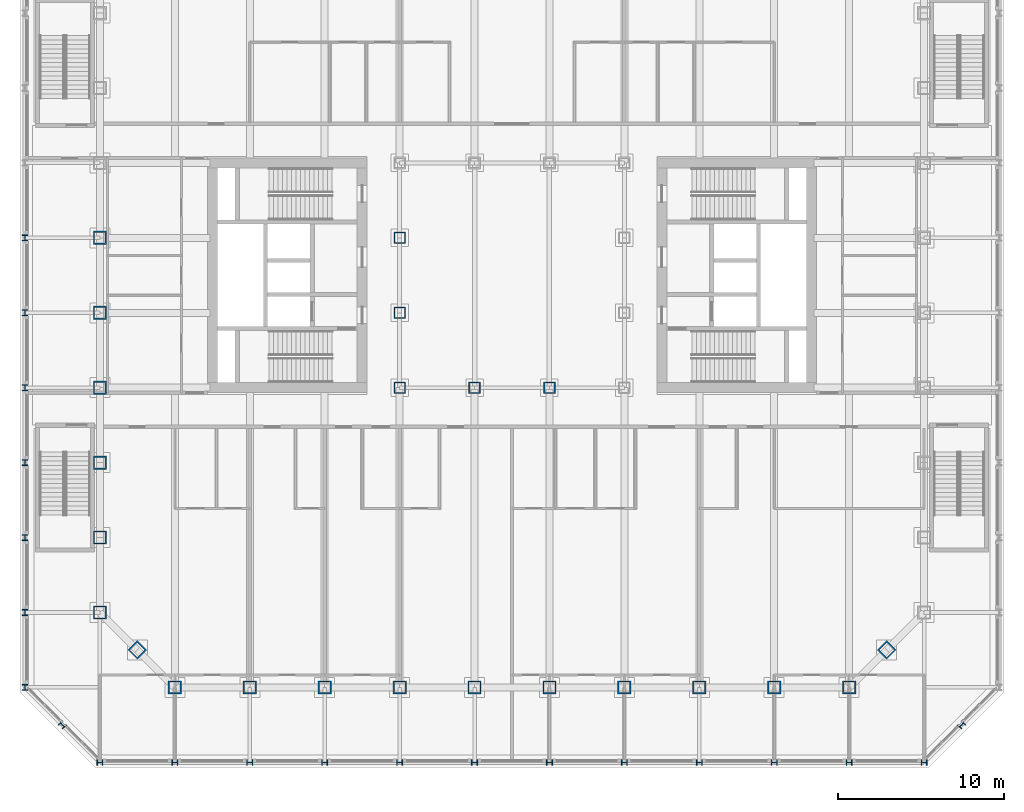
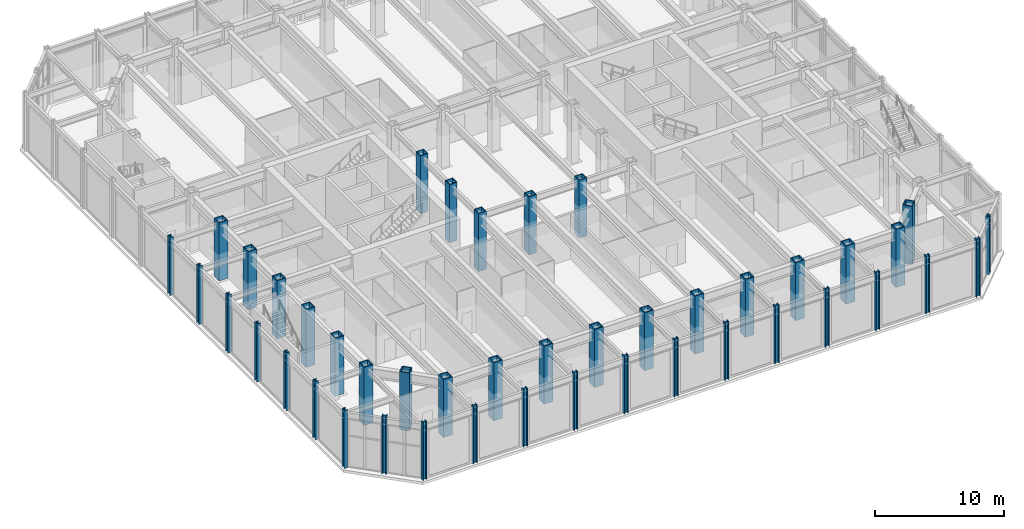
# One storey, part 1 of 19: 44 columns.
"""IFC4 building model written with IfcOpenShell, lengths in metres."""

import ifcopenshell
import ifcopenshell.guid

model = None  # the IFC model being written
_history = None  # IfcOwnerHistory: only IFC2X3 demands one
_inside = {}  # id of a spatial element -> (the spatial element, [elements in it])
_under = {}  # id of a project, library or spatial element -> (it, [spatial elements below it])
_declared = {}  # id of a project -> (the project, [libraries it declares])
_typed = {}  # id of a type object -> (the type object, [elements of that type])
_made_of = {}  # id of a material, layer set ... -> (it, [elements and type objects made of it])


def new_model(schema):
    """Start an empty IFC model of exactly this schema.

    Asked for "IFC4X3", IfcOpenShell would pick the latest addendum, in which some entities
    have other attributes; the version numbers below select the first issue.
    IFC2X3 requires an IfcOwnerHistory on every rooted entity: one is made here for all.
    """
    global model, _history
    if schema == "IFC4X3":
        model = ifcopenshell.file(schema_version=(4, 3, 0, 0))
    else:
        model = ifcopenshell.file(schema=schema)
    _inside.clear()
    _under.clear()
    _declared.clear()
    _typed.clear()
    _made_of.clear()
    _history = None
    if model.schema == "IFC2X3":
        org = make("IfcOrganization", Name="unknown")
        user = make(
            "IfcPersonAndOrganization",
            ThePerson=make("IfcPerson", FamilyName="unknown"),
            TheOrganization=org,
        )
        app = make(
            "IfcApplication",
            ApplicationDeveloper=org,
            Version="unknown",
            ApplicationFullName="unknown",
            ApplicationIdentifier="unknown",
        )
        _history = make(
            "IfcOwnerHistory",
            OwningUser=user,
            OwningApplication=app,
            ChangeAction="ADDED",
            CreationDate=0,
        )
    return model


def make(cls, **values):
    """One entity of the class cls with the attributes given. An attribute that is None is left unset."""
    return model.create_entity(
        cls, **{name: value for name, value in values.items() if value is not None}
    )


def rooted(cls, **values):
    """An entity with a GlobalId (a new one), such as an element, a storey or a relation."""
    return make(cls, GlobalId=ifcopenshell.guid.new(), OwnerHistory=_history, **values)


def si_unit(unit_type, name, prefix=None):
    """IfcSIUnit, for example si_unit("LENGTHUNIT", "METRE", prefix="MILLI")."""
    return make("IfcSIUnit", UnitType=unit_type, Prefix=prefix, Name=name)


def assignment(units):
    """IfcUnitAssignment: the units of a project."""
    return None if units is None else make("IfcUnitAssignment", Units=units)


def point(xyz):
    """IfcCartesianPoint."""
    return None if xyz is None else make("IfcCartesianPoint", Coordinates=xyz)


def direction(xyz):
    """IfcDirection."""
    return None if xyz is None else make("IfcDirection", DirectionRatios=xyz)


def frame(location, z_axis=None, x_axis=None):
    """IfcAxis2Placement3D, a coordinate frame: its origin and axes. An axis left out is left unset."""
    return make(
        "IfcAxis2Placement3D",
        Location=point(location),
        Axis=direction(z_axis),
        RefDirection=direction(x_axis),
    )


def frame_2d(location, x_axis=None):
    """IfcAxis2Placement2D, a coordinate frame in the plane: its origin and x axis."""
    return make(
        "IfcAxis2Placement2D", Location=point(location), RefDirection=direction(x_axis)
    )


def origin():
    """The frame at (0, 0, 0) with its axes left unset."""
    return frame((0.0, 0.0, 0.0))


def origin_2d():
    """The frame at (0, 0) in the plane with its x axis left unset."""
    return frame_2d((0.0, 0.0))


def place(relative_to, where):
    """IfcLocalPlacement: puts the frame where relative to a parent placement (None: the world)."""
    return make(
        "IfcLocalPlacement", PlacementRelTo=relative_to, RelativePlacement=where
    )


def context(
    kind, dimensions, precision=None, world=None, true_north=None, identifier=None
):
    """IfcGeometricRepresentationContext, for example the 3D "Model" context."""
    return make(
        "IfcGeometricRepresentationContext",
        ContextIdentifier=identifier,
        ContextType=kind,
        CoordinateSpaceDimension=dimensions,
        Precision=precision,
        WorldCoordinateSystem=world,
        TrueNorth=true_north,
    )


def subcontext(parent, identifier, kind, view, scale=None):
    """IfcGeometricRepresentationSubContext, for example "Body" below "Model"."""
    return make(
        "IfcGeometricRepresentationSubContext",
        ContextIdentifier=identifier,
        ContextType=kind,
        ParentContext=parent,
        TargetScale=scale,
        TargetView=view,
    )


def project(units=None, contexts=None):
    """IfcProject with its units and contexts."""
    return rooted(
        "IfcProject",
        Name="project",
        RepresentationContexts=contexts,
        UnitsInContext=assignment(units),
    )


def spatial(cls, under=None, at=None, **own):
    """A site, building, storey or space (cls), placed at a placement, below another one or the project."""
    s = rooted(cls, ObjectPlacement=at, **own)
    if under is not None:
        _under.setdefault(under.id(), (under, []))[1].append(s)
    return s


def profile(cls, at=None, kind="AREA", **sizes):
    """A parametric profile (cls). Its sizes go by their IFC names, for example OverallWidth=200.0."""
    return make(cls, ProfileType=kind, Position=at, **sizes)


def hollow_rectangle(**sizes):
    """IfcRectangleHollowProfileDef."""
    return profile("IfcRectangleHollowProfileDef", **sizes)


def i_section(**sizes):
    """IfcIShapeProfileDef."""
    return profile("IfcIShapeProfileDef", **sizes)


def extrude(swept, where, along, depth):
    """IfcExtrudedAreaSolid: the profile swept, set in the frame where, extruded along a direction by depth."""
    return make(
        "IfcExtrudedAreaSolid",
        SweptArea=swept,
        Position=where,
        ExtrudedDirection=direction(along),
        Depth=depth,
    )


def shape(context_of_items, identifier, shape_type, items):
    """IfcShapeRepresentation: the items that make up one representation, for example the "Body"."""
    return make(
        "IfcShapeRepresentation",
        ContextOfItems=context_of_items,
        RepresentationIdentifier=identifier,
        RepresentationType=shape_type,
        Items=items,
    )


def material(Name=None, Category=None):
    """IfcMaterial."""
    return make("IfcMaterial", Name=Name, Category=Category)


def material_profile(
    of_material, cross_section, Name=None, Category=None, Priority=None
):
    """IfcMaterialProfile: a cross section and its material."""
    return make(
        "IfcMaterialProfile",
        Name=Name,
        Material=of_material,
        Profile=cross_section,
        Priority=Priority,
        Category=Category,
    )


def profile_set(profiles, Name=None, composite=None):
    """IfcMaterialProfileSet."""
    return make(
        "IfcMaterialProfileSet",
        Name=Name,
        MaterialProfiles=profiles,
        CompositeProfile=composite,
    )


def made_of(thing, what):
    """Note that an element or type object is made of a material, layer set ...; save() writes the relation."""
    if what is not None:
        _made_of.setdefault(what.id(), (what, []))[1].append(thing)
    return thing


def type_object(cls, material=None, **own):
    """A type object (cls), such as IfcWallType, which elements share."""
    return made_of(rooted(cls, **own), material)


def element(
    cls,
    number,
    at=None,
    inside=None,
    cuts=None,
    type_object=None,
    material=None,
    context=None,
    identifier="Body",
    shape_type=None,
    held_by="IfcProductDefinitionShape",
    body=None,
    shapes=None,
    **own,
):
    """One element of the class cls, such as IfcWall. Its Tag is "e" and its number.

    at: its placement. inside: the storey or other place that contains it. cuts: it is an
    opening in that element (IfcRelVoidsElement). A single representation is given by context,
    identifier, shape_type and body (its items); several are given by shapes. held_by: the class
    of the entity that holds the representations. save() writes the other relations.
    """
    e = rooted(cls, Tag="e%d" % number, ObjectPlacement=at, **own)
    if body is not None:
        shapes = [shape(context, identifier, shape_type, body)]
    if shapes is not None:
        e.Representation = make(held_by, Representations=shapes)
    if inside is not None:
        _inside.setdefault(inside.id(), (inside, []))[1].append(e)
    if cuts is not None:
        rooted(
            "IfcRelVoidsElement", RelatingBuildingElement=cuts, RelatedOpeningElement=e
        )
    if type_object is not None:
        _typed.setdefault(type_object.id(), (type_object, []))[1].append(e)
    return made_of(e, material)


def aggregate(whole, parts):
    """IfcRelAggregates: a whole, such as a stair, and the parts it consists of."""
    return rooted("IfcRelAggregates", RelatingObject=whole, RelatedObjects=parts)


def save(model, path):
    """Write the relations noted so far, then the file.

    IfcRelAggregates (storeys below a building ...), IfcRelContainedInSpatialStructure (elements
    in a storey), IfcRelDefinesByType, IfcRelAssociatesMaterial and IfcRelDeclares: one each for
    every whole, place, type object, material and project.
    """
    for whole, parts in _under.values():
        aggregate(whole, parts)
    for where, things in _inside.values():
        rooted(
            "IfcRelContainedInSpatialStructure",
            RelatedElements=things,
            RelatingStructure=where,
        )
    for kind, things in _typed.values():
        rooted("IfcRelDefinesByType", RelatedObjects=things, RelatingType=kind)
    for what, things in _made_of.values():
        rooted("IfcRelAssociatesMaterial", RelatedObjects=things, RelatingMaterial=what)
    for by, libraries in _declared.values():
        rooted("IfcRelDeclares", RelatingContext=by, RelatedDefinitions=libraries)
    model.write(path)


model = new_model("IFC4")

# Units and contexts
model_context = context("Model", 3, precision=1e-05, world=origin(), true_north=direction((0.0, 1.0)))
body_context = subcontext(model_context, "Body", "Model", "MODEL_VIEW")
ifc_project = project(units=[si_unit("LENGTHUNIT", "METRE"), si_unit("AREAUNIT", "SQUARE_METRE"), si_unit("VOLUMEUNIT", "CUBIC_METRE"), si_unit("PLANEANGLEUNIT", "RADIAN"), si_unit("MASSUNIT", "GRAM", prefix="KILO")], contexts=[model_context])

# Site, building, storey
site_placement = place(None, origin())
site = spatial("IfcSite", under=ifc_project, at=site_placement, CompositionType="ELEMENT")
building_placement = place(site_placement, origin())
building = spatial("IfcBuilding", under=site, at=building_placement, Name="Msasa Ring Tower", CompositionType="ELEMENT")
storey_placement = place(building_placement, frame((0.0, 0.0, 16.0)))
storey = spatial("IfcBuildingStorey", under=building, at=storey_placement, Name="L03", CompositionType="ELEMENT", Elevation=16.0)

# Columns
ifc_material_1 = material(Name="Steel S355", Category="steel")
ifc_material_profile_1 = material_profile(ifc_material_1, hollow_rectangle(XDim=0.699951171875, YDim=0.699951171875, WallThickness=0.070068359375, at=origin_2d()), Name="BOX 700x700x70")
ifc_profile_set_1 = profile_set([ifc_material_profile_1], Name="Steel S355")
column_type_1 = type_object("IfcColumnType", Name="IC1 BOX 700x700x70", PredefinedType="COLUMN", material=ifc_profile_set_1)
for number, where, z_axis, x_axis, name in (
    (1, (-6.75, -6.75, 0.0), (0.0, 0.0, 1.0), (1.0, 0.0, 0.0), "Inner ring column IR-6.75-6.75 L03"),
    (2, (-6.75, -2.25, 0.0), (0.0, 0.0, 1.0), (1.0, 0.0, 0.0), "Inner ring column IR-6.75-2.25 L03"),
    (3, (-6.75, 2.25, 0.0), (0.0, 0.0, 1.0), (1.0, 0.0, 0.0), "Inner ring column IR-6.75+2.25 L03"),
    (4, (-2.25, -6.75, 0.0), (0.0, 0.0, 1.0), (1.0, 0.0, 0.0), "Inner ring column IR-2.25-6.75 L03"),
    (5, (2.25, -6.75, 0.0), (0.0, 0.0, 1.0), (1.0, 0.0, 0.0), "Inner ring column IR+2.25-6.75 L03"),
):
    element("IfcColumn", number, at=place(storey_placement, frame(where, z_axis=z_axis, x_axis=x_axis)), inside=storey, type_object=column_type_1, Name=name, PredefinedType="COLUMN", context=body_context, shape_type="SweptSolid", body=[
        extrude(hollow_rectangle(XDim=0.699951171875, YDim=0.699951171875, WallThickness=0.070068359375, at=origin_2d()), origin(), (0.0, 0.0, 1.0), 5.5),
    ])
ifc_material_2 = material(Name="Steel S355", Category="steel")
ifc_material_profile_2 = material_profile(ifc_material_2, i_section(OverallWidth=0.322265625, OverallDepth=0.365234375, WebThickness=0.02685546875, FlangeThickness=0.044189453125, FilletRadius=0.01513671875, at=origin_2d()), Name="UC 305x305x283")
ifc_profile_set_2 = profile_set([ifc_material_profile_2], Name="Steel S355")
column_type_2 = type_object("IfcColumnType", Name="PC1 UC 305x305x283", PredefinedType="COLUMN", material=ifc_profile_set_2)
for number, where, z_axis, x_axis, name in (
    (6, (-24.75, -29.25, 0.0), (0.0, 0.0, 1.0), (0.0, 1.0, 0.0), "Podium column S-24.75 L03"),
    (7, (-29.25, -24.75, 0.0), (0.0, 0.0, 1.0), (1.0, 0.0, 0.0), "Podium column W-24.75 L03"),
    (8, (-20.25, -29.25, 0.0), (0.0, 0.0, 1.0), (0.0, 1.0, 0.0), "Podium column S-20.25 L03"),
    (9, (-29.25, -20.25, 0.0), (0.0, 0.0, 1.0), (1.0, 0.0, 0.0), "Podium column W-20.25 L03"),
    (10, (-15.75, -29.25, 0.0), (0.0, 0.0, 1.0), (0.0, 1.0, 0.0), "Podium column S-15.75 L03"),
    (11, (-29.25, -15.75, 0.0), (0.0, 0.0, 1.0), (1.0, 0.0, 0.0), "Podium column W-15.75 L03"),
    (12, (-11.25, -29.25, 0.0), (0.0, 0.0, 1.0), (0.0, 1.0, 0.0), "Podium column S-11.25 L03"),
    (13, (-29.25, -11.25, 0.0), (0.0, 0.0, 1.0), (1.0, 0.0, 0.0), "Podium column W-11.25 L03"),
    (14, (-6.75, -29.25, 0.0), (0.0, 0.0, 1.0), (0.0, 1.0, 0.0), "Podium column S-6.75 L03"),
    (15, (-29.25, -6.75, 0.0), (0.0, 0.0, 1.0), (1.0, 0.0, 0.0), "Podium column W-6.75 L03"),
    (16, (-2.25, -29.25, 0.0), (0.0, 0.0, 1.0), (0.0, 1.0, 0.0), "Podium column S-2.25 L03"),
    (17, (-29.25, -2.25, 0.0), (0.0, 0.0, 1.0), (1.0, 0.0, 0.0), "Podium column W-2.25 L03"),
    (18, (2.25, -29.25, 0.0), (0.0, 0.0, 1.0), (0.0, 1.0, 0.0), "Podium column S+2.25 L03"),
    (19, (-29.25, 2.25, 0.0), (0.0, 0.0, 1.0), (1.0, 0.0, 0.0), "Podium column W+2.25 L03"),
    (20, (6.75, -29.25, 0.0), (0.0, 0.0, 1.0), (0.0, 1.0, 0.0), "Podium column S+6.75 L03"),
    (21, (11.25, -29.25, 0.0), (0.0, 0.0, 1.0), (0.0, 1.0, 0.0), "Podium column S+11.25 L03"),
    (22, (15.75, -29.25, 0.0), (0.0, 0.0, 1.0), (0.0, 1.0, 0.0), "Podium column S+15.75 L03"),
    (23, (20.25, -29.25, 0.0), (0.0, 0.0, 1.0), (0.0, 1.0, 0.0), "Podium column S+20.25 L03"),
    (24, (24.75, -29.25, 0.0), (0.0, 0.0, 1.0), (0.0, 1.0, 0.0), "Podium column S+24.75 L03"),
    (25, (27.0, -27.0, 0.0), (0.0, 0.0, 1.0), (0.707106781187, -0.707106781187, 0.0), "Podium column SE L03"),
    (26, (-27.0, -27.0, 0.0), (0.0, 0.0, 1.0), (0.707106781187, 0.707106781187, 0.0), "Podium column SW L03"),
):
    element("IfcColumn", number, at=place(storey_placement, frame(where, z_axis=z_axis, x_axis=x_axis)), inside=storey, type_object=column_type_2, Name=name, PredefinedType="COLUMN", context=body_context, shape_type="SweptSolid", body=[
        extrude(i_section(OverallWidth=0.322265625, OverallDepth=0.365234375, WebThickness=0.02685546875, FlangeThickness=0.044189453125, FilletRadius=0.01513671875, at=origin_2d()), origin(), (0.0, 0.0, 1.0), 5.5),
    ])
ifc_material_3 = material(Name="Steel S355", Category="steel")
ifc_material_profile_3 = material_profile(ifc_material_3, hollow_rectangle(XDim=0.800048828125, YDim=0.800048828125, WallThickness=0.080078125, at=origin_2d()), Name="BOX 800x800x80")
ifc_profile_set_3 = profile_set([ifc_material_profile_3], Name="Steel S355")
column_type_3 = type_object("IfcColumnType", Name="TC1 BOX 800x800x80", PredefinedType="COLUMN", material=ifc_profile_set_3)
for number, where, z_axis, x_axis, name in (
    (27, (-20.25, -24.75, 0.0), (0.0, 0.0, 1.0), (0.0, 1.0, 0.0), "Tube column S-20.25 L03"),
    (28, (-24.75, -20.25, 0.0), (0.0, 0.0, 1.0), (1.0, 0.0, 0.0), "Tube column W-20.25 L03"),
    (29, (-15.75, -24.75, 0.0), (0.0, 0.0, 1.0), (0.0, 1.0, 0.0), "Tube column S-15.75 L03"),
    (30, (-24.75, -15.75, 0.0), (0.0, 0.0, 1.0), (1.0, 0.0, 0.0), "Tube column W-15.75 L03"),
    (31, (-11.25, -24.75, 0.0), (0.0, 0.0, 1.0), (0.0, 1.0, 0.0), "Tube column S-11.25 L03"),
    (32, (-24.75, -11.25, 0.0), (0.0, 0.0, 1.0), (1.0, 0.0, 0.0), "Tube column W-11.25 L03"),
    (33, (-6.75, -24.75, 0.0), (0.0, 0.0, 1.0), (0.0, 1.0, 0.0), "Tube column S-6.75 L03"),
    (34, (-24.75, -6.75, 0.0), (0.0, 0.0, 1.0), (1.0, 0.0, 0.0), "Tube column W-6.75 L03"),
    (35, (-2.25, -24.75, 0.0), (0.0, 0.0, 1.0), (0.0, 1.0, 0.0), "Tube column S-2.25 L03"),
    (36, (-24.75, -2.25, 0.0), (0.0, 0.0, 1.0), (1.0, 0.0, 0.0), "Tube column W-2.25 L03"),
    (37, (2.25, -24.75, 0.0), (0.0, 0.0, 1.0), (0.0, 1.0, 0.0), "Tube column S+2.25 L03"),
    (38, (-24.75, 2.25, 0.0), (0.0, 0.0, 1.0), (1.0, 0.0, 0.0), "Tube column W+2.25 L03"),
    (39, (6.75, -24.75, 0.0), (0.0, 0.0, 1.0), (0.0, 1.0, 0.0), "Tube column S+6.75 L03"),
    (40, (11.25, -24.75, 0.0), (0.0, 0.0, 1.0), (0.0, 1.0, 0.0), "Tube column S+11.25 L03"),
    (41, (15.75, -24.75, 0.0), (0.0, 0.0, 1.0), (0.0, 1.0, 0.0), "Tube column S+15.75 L03"),
    (42, (20.25, -24.75, 0.0), (0.0, 0.0, 1.0), (0.0, 1.0, 0.0), "Tube column S+20.25 L03"),
    (43, (22.5, -22.5, 0.0), (0.0, 0.0, 1.0), (0.707106781187, -0.707106781187, 0.0), "Tube column SE L03"),
    (44, (-22.5, -22.5, 0.0), (0.0, 0.0, 1.0), (0.707106781187, 0.707106781187, 0.0), "Tube column SW L03"),
):
    element("IfcColumn", number, at=place(storey_placement, frame(where, z_axis=z_axis, x_axis=x_axis)), inside=storey, type_object=column_type_3, Name=name, PredefinedType="COLUMN", context=body_context, shape_type="SweptSolid", body=[
        extrude(hollow_rectangle(XDim=0.800048828125, YDim=0.800048828125, WallThickness=0.080078125, at=origin_2d()), origin(), (0.0, 0.0, 1.0), 5.5),
    ])

save(model, "model.ifc")
